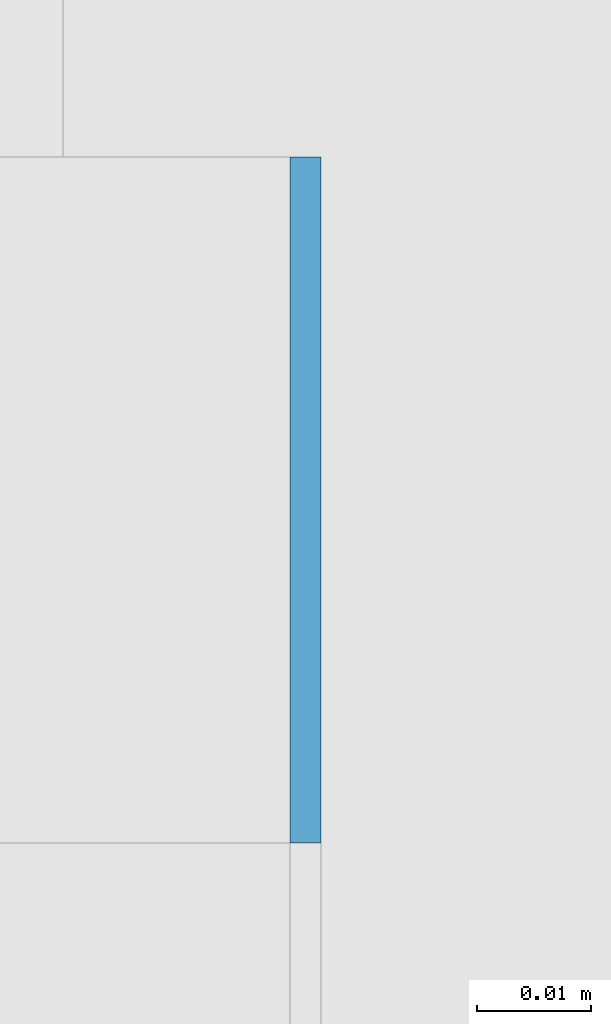
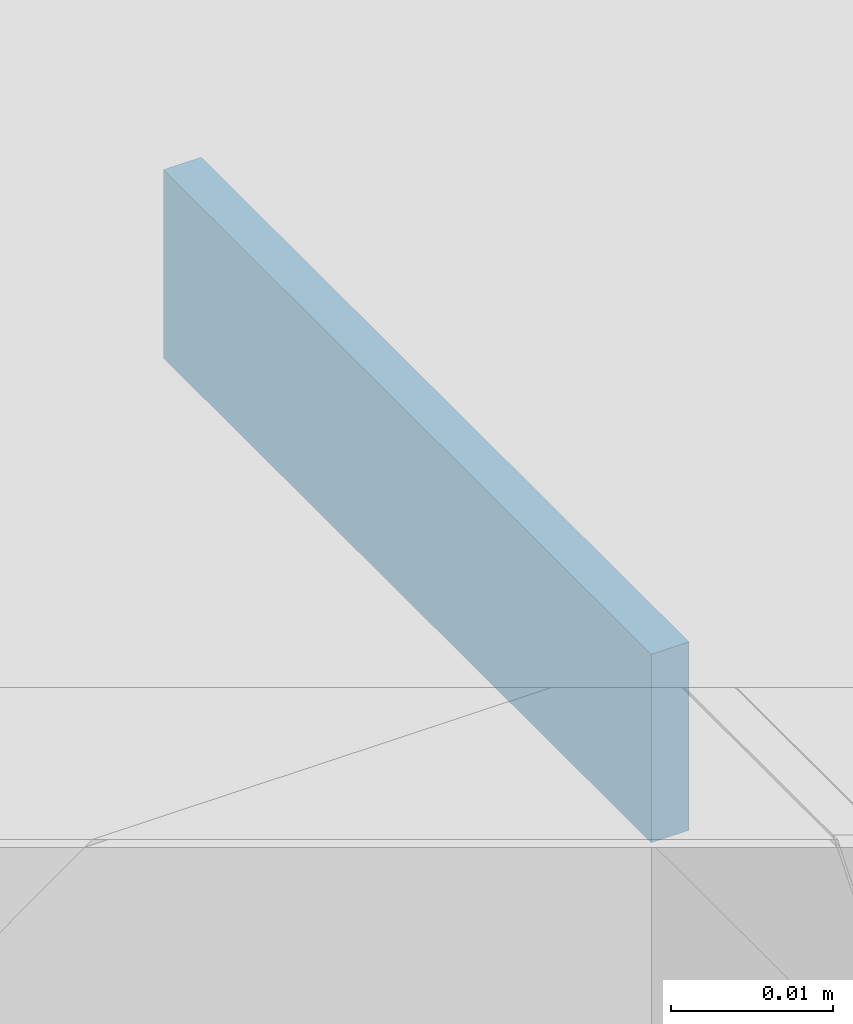
# One storey, part 317 of 646: 1 discrete accessory.
"""IFC4 building model written with IfcOpenShell, lengths in metres."""

from ifc_helpers import new_model, si_unit, direction, frame, origin, origin_2d, place, context, subcontext, project, spatial, rectangle, extrude, material, type_object, element, save


model = new_model("IFC4")

# Units and contexts
model_context = context("Model", 3, precision=1e-05, world=origin(), true_north=direction((0.0, 1.0)))
body_context = subcontext(model_context, "Body", "Model", "MODEL_VIEW")
ifc_project = project(units=[si_unit("LENGTHUNIT", "METRE"), si_unit("AREAUNIT", "SQUARE_METRE"), si_unit("VOLUMEUNIT", "CUBIC_METRE"), si_unit("PLANEANGLEUNIT", "RADIAN"), si_unit("MASSUNIT", "GRAM", prefix="KILO")], contexts=[model_context])

# Site, building, storey
site_placement = place(None, origin())
site = spatial("IfcSite", under=ifc_project, at=site_placement, CompositionType="ELEMENT")
building_placement = place(site_placement, origin())
building = spatial("IfcBuilding", under=site, at=building_placement, Name="Silverbay Arena", CompositionType="ELEMENT")
storey_placement = place(building_placement, frame((0.0, 0.0, 33.5)))
storey = spatial("IfcBuildingStorey", under=building, at=storey_placement, Name="L05", CompositionType="ELEMENT", Elevation=33.5)

# Discrete accessory
ifc_material = material(Name="Steel S355", Category="steel")
discrete_accessory_type = type_object("IfcDiscreteAccessoryType", Name="Steel bracket plate", PredefinedType="BRACKET", material=ifc_material)
discrete_accessory_placement = place(storey_placement, frame((53.871337890625, 72.030029296875, 12.98583984375), z_axis=(0.0, 0.0, 1.0), x_axis=(1.0, 0.0, 0.0)))
element("IfcDiscreteAccessory", 1, at=discrete_accessory_placement, inside=storey, type_object=discrete_accessory_type, Name="Curtain wall packing plate", PredefinedType="BRACKET", context=body_context, shape_type="SweptSolid", body=[
    extrude(rectangle(XDim=0.002685546875, YDim=0.06005859375, at=origin_2d()), origin(), (0.0, 0.0, 1.0), 0.01416015625),
])

save(model, "model.ifc")
